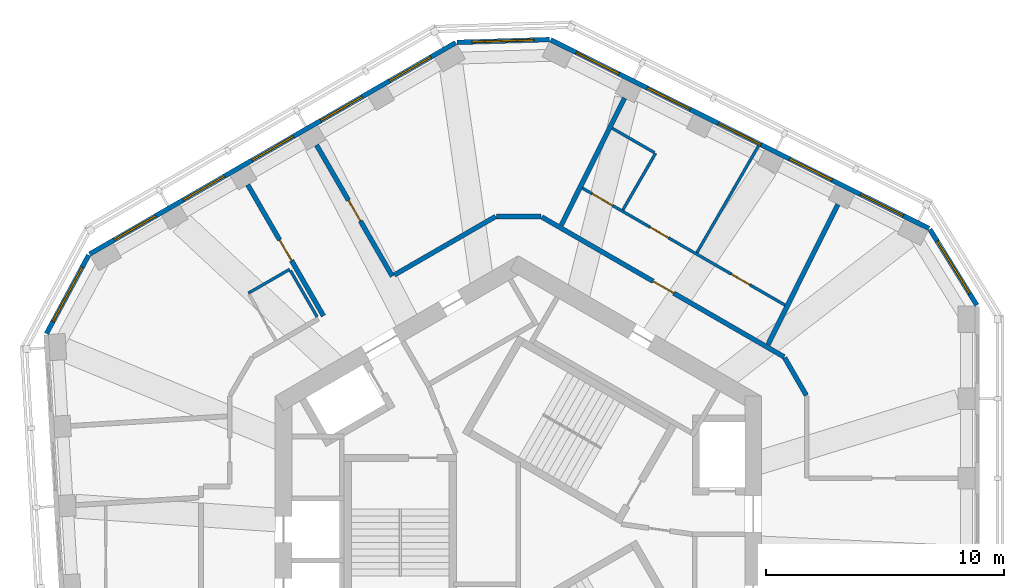
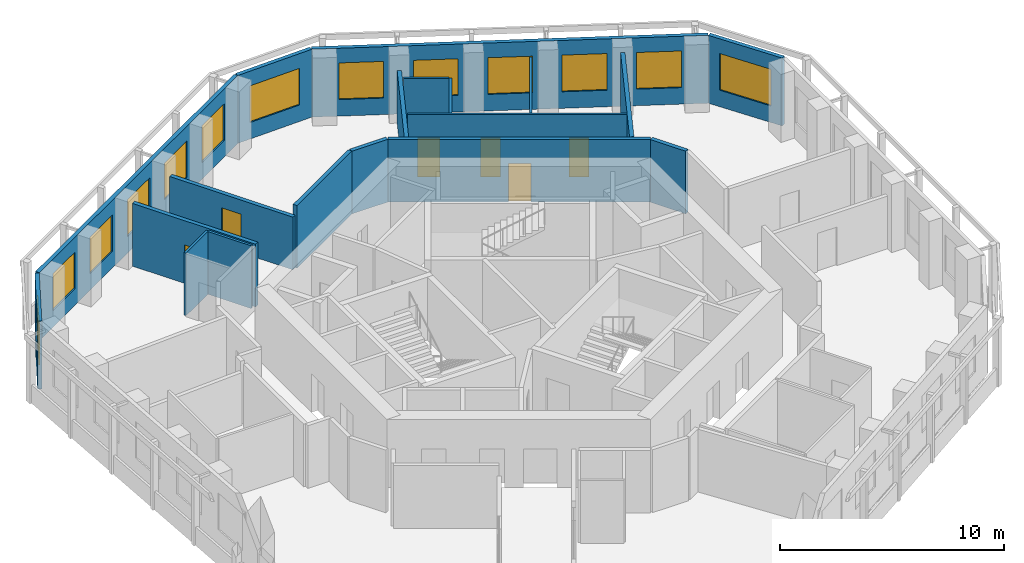
# One storey, part 7 of 10: 19 walls, 13 windows, 6 doors, 19 openings.
"""IFC4 building model written with IfcOpenShell, lengths in metres."""

from ifc_helpers import new_model, si_unit, direction, frame, frame_2d, origin, place, context, subcontext, project, spatial, rectangle, extrude, material, layer, layer_set, type_object, element, fill, save


model = new_model("IFC4")

# Units and contexts
model_context = context("Model", 3, precision=1e-05, world=origin(), true_north=direction((0.0, 1.0)))
body_context = subcontext(model_context, "Body", "Model", "MODEL_VIEW")
ifc_project = project(units=[si_unit("LENGTHUNIT", "METRE"), si_unit("AREAUNIT", "SQUARE_METRE"), si_unit("VOLUMEUNIT", "CUBIC_METRE"), si_unit("PLANEANGLEUNIT", "RADIAN"), si_unit("MASSUNIT", "GRAM", prefix="KILO")], contexts=[model_context])

# Site, building, storey
site_placement = place(None, origin())
site = spatial("IfcSite", under=ifc_project, at=site_placement, CompositionType="ELEMENT")
building_placement = place(site_placement, origin())
building = spatial("IfcBuilding", under=site, at=building_placement, Name="Vanh Sen Convention Tower", CompositionType="ELEMENT")
storey_placement = place(building_placement, frame((0.0, 0.0, 263.5)))
storey = spatial("IfcBuildingStorey", under=building, at=storey_placement, Name="L65", CompositionType="ELEMENT", Elevation=263.5)

# Walls
ifc_material_1 = material(Name="Moisture-resistant gypsum board on steel studs", Category="steel")
ifc_layer_1 = layer(ifc_material_1, 0.1201171875)
ifc_layer_set_1 = layer_set([ifc_layer_1], Name="Moisture-resistant gypsum board on steel studs")
wall_type_1 = type_object("IfcWallType", Name="Bathroom partition 120", PredefinedType="PARTITIONING", material=ifc_layer_set_1)
wall_1_placement = place(storey_placement, frame((-11.318603515625, 10.208251953125, 0.0), z_axis=(0.0, 0.0, 1.0), x_axis=(0.866010750942, 0.50002537861, 0.0)))
element("IfcWall", 1, at=wall_1_placement, inside=storey, type_object=wall_type_1, Name="Bathroom partition 120", PredefinedType="PARTITIONING", context=body_context, shape_type="SweptSolid", body=[
    extrude(rectangle(XDim=2.0, YDim=0.1201171875, at=frame_2d((1.0, 0.0))), origin(), (0.0, 0.0, 1.0), 3.419921875),
])
wall_2_placement = place(storey_placement, frame((-9.556640625, 11.15625, 0.0), z_axis=(0.0, 0.0, 1.0), x_axis=(0.49994888933, -0.866054910533, 0.0)))
element("IfcWall", 2, at=wall_2_placement, inside=storey, type_object=wall_type_1, Name="Bathroom partition 120", PredefinedType="PARTITIONING", context=body_context, shape_type="SweptSolid", body=[
    extrude(rectangle(XDim=2.239990234375, YDim=0.1201171875, at=frame_2d((1.1201171875, 0.0))), origin(), (0.0, 0.0, 1.0), 3.419921875),
])
wall_3_placement = place(storey_placement, frame((4.38818359375, 13.70166015625, 0.0), z_axis=(0.0, 0.0, 1.0), x_axis=(0.500048966069, 0.865997131366, 0.0)))
element("IfcWall", 3, at=wall_3_placement, inside=storey, type_object=wall_type_1, Name="Bathroom partition 120", PredefinedType="PARTITIONING", context=body_context, shape_type="SweptSolid", body=[
    extrude(rectangle(XDim=2.739990234375, YDim=0.1201171875, at=frame_2d((1.3701171875, 0.0))), origin(), (0.0, 0.0, 1.0), 3.419921875),
])
wall_4_placement = place(storey_placement, frame((5.706298828125, 16.1044921875, 0.0), z_axis=(0.0, 0.0, 1.0), x_axis=(-0.866040114423, 0.499974519561, 0.0)))
element("IfcWall", 4, at=wall_4_placement, inside=storey, type_object=wall_type_1, Name="Bathroom partition 120", PredefinedType="PARTITIONING", context=body_context, shape_type="SweptSolid", body=[
    extrude(rectangle(XDim=2.0400390625, YDim=0.1201171875, at=frame_2d((1.02001953125, 0.0))), origin(), (0.0, 0.0, 1.0), 3.419921875),
])
wall_5_placement = place(storey_placement, frame((10.07177734375, 16.376220703125, 0.0), z_axis=(0.0, 0.0, 1.0), x_axis=(-0.499972385701, -0.86604134632, 0.0)))
element("IfcWall", 5, at=wall_5_placement, inside=storey, type_object=wall_type_1, Name="Bathroom partition 120", PredefinedType="PARTITIONING", context=body_context, shape_type="SweptSolid", body=[
    extrude(rectangle(XDim=5.157958984375, YDim=0.1201171875, at=frame_2d((2.5791015625, 0.0))), origin(), (0.0, 0.0, 1.0), 2.8701171875),
])

# Wall, openings, doors
wall_6_placement = place(storey_placement, frame((11.186767578125, 9.707275390625, 0.0), z_axis=(0.0, 0.0, 1.0), x_axis=(-0.866033133531, 0.499986611447, 0.0)))
wall_6 = element("IfcWall", 6, at=wall_6_placement, inside=storey, type_object=wall_type_1, Name="Bathroom partition 120", PredefinedType="PARTITIONING", context=body_context, shape_type="SweptSolid", body=[
    extrude(rectangle(XDim=9.813720703125, YDim=0.1201171875, at=frame_2d((4.90673828125, 0.0))), origin(), (0.0, 0.0, 1.0), 3.419921875),
])
opening_1_placement = place(wall_6_placement, frame((8.34912109375, 0.0, 0.0)))
opening_1 = element("IfcOpeningElement", 7, at=opening_1_placement, cuts=wall_6, Name="Opening D64103", PredefinedType="OPENING", context=body_context, shape_type="SweptSolid", body=[
    extrude(rectangle(XDim=1.0, YDim=2.10009765625, at=frame_2d((0.5, 1.050048828125))), frame((0.0, 0.070068359375, 0.0), z_axis=(0.0, -1.0, 0.0), x_axis=(1.0, 0.0, 0.0)), (0.0, 0.0, 1.0), 0.14013671875),
])
opening_2_placement = place(wall_6_placement, frame((1.699951171875, 0.0, 0.0)))
opening_2 = element("IfcOpeningElement", 8, at=opening_2_placement, cuts=wall_6, Name="Opening D64104", PredefinedType="OPENING", context=body_context, shape_type="SweptSolid", body=[
    extrude(rectangle(XDim=0.89990234375, YDim=2.10009765625, at=frame_2d((0.449951171875, 1.050048828125))), frame((0.0, 0.070068359375, 0.0), z_axis=(0.0, -1.0, 0.0), x_axis=(1.0, 0.0, 0.0)), (0.0, 0.0, 1.0), 0.14013671875),
])
opening_3_placement = place(wall_6_placement, frame((5.642333984375, 0.0, 0.0)))
opening_3 = element("IfcOpeningElement", 9, at=opening_3_placement, cuts=wall_6, Name="Opening D64105", PredefinedType="OPENING", context=body_context, shape_type="SweptSolid", body=[
    extrude(rectangle(XDim=0.89990234375, YDim=2.10009765625, at=frame_2d((0.449951171875, 1.050048828125))), frame((0.0, 0.070068359375, 0.0), z_axis=(0.0, -1.0, 0.0), x_axis=(1.0, 0.0, 0.0)), (0.0, 0.0, 1.0), 0.14013671875),
])
ifc_material_2 = material(Name="Laminate door in steel frame", Category="steel")
door_type_1 = type_object("IfcDoorType", Name="Accessible WC door 1000", OperationType="SINGLE_SWING_LEFT", PredefinedType="DOOR", material=ifc_material_2)
door_1_placement = place(opening_1_placement, origin())
door_1 = element("IfcDoor", 10, at=door_1_placement, inside=storey, type_object=door_type_1, Name="Accessible WC door D64103", OperationType="SINGLE_SWING_LEFT", OverallHeight=2.10009765625, OverallWidth=1.0, PredefinedType="DOOR", context=body_context, shape_type="SweptSolid", body=[
    extrude(rectangle(XDim=1.0, YDim=2.10009765625, at=frame_2d((0.5, 1.050048828125))), frame((0.0, 0.02490234375, 0.0), z_axis=(0.0, -1.0, 0.0), x_axis=(1.0, 0.0, 0.0)), (0.0, 0.0, 1.0), 0.050048828125),
])
fill(opening_1, door_1)
door_type_2 = type_object("IfcDoorType", Name="Room internal door 900", OperationType="SINGLE_SWING_LEFT", PredefinedType="DOOR", material=ifc_material_2)
door_2_placement = place(opening_2_placement, origin())
door_2 = element("IfcDoor", 11, at=door_2_placement, inside=storey, type_object=door_type_2, Name="Internal room door D64104", OperationType="SINGLE_SWING_LEFT", OverallHeight=2.10009765625, OverallWidth=0.89990234375, PredefinedType="DOOR", context=body_context, shape_type="SweptSolid", body=[
    extrude(rectangle(XDim=0.89990234375, YDim=2.10009765625, at=frame_2d((0.449951171875, 1.050048828125))), frame((0.0, 0.02490234375, 0.0), z_axis=(0.0, -1.0, 0.0), x_axis=(1.0, 0.0, 0.0)), (0.0, 0.0, 1.0), 0.050048828125),
])
fill(opening_2, door_2)
door_3_placement = place(opening_3_placement, origin())
door_3 = element("IfcDoor", 12, at=door_3_placement, inside=storey, type_object=door_type_2, Name="Internal room door D64105", OperationType="SINGLE_SWING_LEFT", OverallHeight=2.10009765625, OverallWidth=0.89990234375, PredefinedType="DOOR", context=body_context, shape_type="SweptSolid", body=[
    extrude(rectangle(XDim=0.89990234375, YDim=2.10009765625, at=frame_2d((0.449951171875, 1.050048828125))), frame((0.0, 0.02490234375, 0.0), z_axis=(0.0, -1.0, 0.0), x_axis=(1.0, 0.0, 0.0)), (0.0, 0.0, 1.0), 0.050048828125),
])
fill(opening_3, door_3)

# Wall, opening, door
ifc_material_3 = material(Name="Gypsum board on steel studs with mineral wool", Category="steel")
ifc_layer_2 = layer(ifc_material_3, 0.199951171875)
ifc_layer_set_2 = layer_set([ifc_layer_2], Name="Gypsum board on steel studs with mineral wool")
wall_type_2 = type_object("IfcWallType", Name="Corridor partition wall 200", PredefinedType="PARTITIONING", material=ifc_layer_set_2)
wall_7_placement = place(storey_placement, frame((-11.34521484375, 14.754150390625, 0.0), z_axis=(0.0, 0.0, 1.0), x_axis=(0.500005339912, -0.866022320763, 0.0)))
wall_7 = element("IfcWall", 13, at=wall_7_placement, inside=storey, type_object=wall_type_2, Name="Corridor partition wall 200", PredefinedType="PARTITIONING", context=body_context, shape_type="SweptSolid", body=[
    extrude(rectangle(XDim=6.35009765625, YDim=0.199951171875, at=frame_2d((3.175048828125, 0.0))), origin(), (0.0, 0.0, 1.0), 3.419921875),
])
opening_4_placement = place(wall_7_placement, frame((2.675048828125, 0.0, 0.0)))
opening_4 = element("IfcOpeningElement", 14, at=opening_4_placement, cuts=wall_7, Name="Opening D64107", PredefinedType="OPENING", context=body_context, shape_type="SweptSolid", body=[
    extrude(rectangle(XDim=1.0, YDim=2.10009765625, at=frame_2d((0.5, 1.050048828125))), frame((0.0, 0.10986328125, 0.0), z_axis=(0.0, -1.0, 0.0), x_axis=(1.0, 0.0, 0.0)), (0.0, 0.0, 1.0), 0.219970703125),
])
ifc_material_4 = material(Name="Glazed fire door in steel frame", Category="steel")
door_type_3 = type_object("IfcDoorType", Name="Tenant entrance door 1000", OperationType="SINGLE_SWING_LEFT", PredefinedType="DOOR", material=ifc_material_4)
door_4_placement = place(opening_4_placement, origin())
door_4 = element("IfcDoor", 15, at=door_4_placement, inside=storey, type_object=door_type_3, Name="Tenant suite entrance door D64107", OperationType="SINGLE_SWING_LEFT", OverallHeight=2.10009765625, OverallWidth=1.0, PredefinedType="DOOR", context=body_context, shape_type="SweptSolid", body=[
    extrude(rectangle(XDim=1.0, YDim=2.10009765625, at=frame_2d((0.5, 1.050048828125))), frame((0.0, 0.02490234375, 0.0), z_axis=(0.0, -1.0, 0.0), x_axis=(1.0, 0.0, 0.0)), (0.0, 0.0, 1.0), 0.050048828125),
])
fill(opening_4, door_4)

wall_8_placement = place(storey_placement, frame((-8.4599609375, 16.419921875, 0.0), z_axis=(0.0, 0.0, 1.0), x_axis=(0.500005339912, -0.866022320763, 0.0)))
wall_8 = element("IfcWall", 16, at=wall_8_placement, inside=storey, type_object=wall_type_2, Name="Corridor partition wall 200", PredefinedType="PARTITIONING", context=body_context, shape_type="SweptSolid", body=[
    extrude(rectangle(XDim=6.35009765625, YDim=0.199951171875, at=frame_2d((3.175048828125, 0.0))), origin(), (0.0, 0.0, 1.0), 2.8701171875),
])
opening_5_placement = place(wall_8_placement, frame((2.675048828125, 0.0, 0.0)))
opening_5 = element("IfcOpeningElement", 17, at=opening_5_placement, cuts=wall_8, Name="Opening D64106", PredefinedType="OPENING", context=body_context, shape_type="SweptSolid", body=[
    extrude(rectangle(XDim=1.0, YDim=2.10009765625, at=frame_2d((0.5, 1.050048828125))), frame((0.0, 0.10986328125, 0.0), z_axis=(0.0, -1.0, 0.0), x_axis=(1.0, 0.0, 0.0)), (0.0, 0.0, 1.0), 0.219970703125),
])
ifc_material_5 = material(Name="Timber fire door in steel frame", Category="steel")
door_type_4 = type_object("IfcDoorType", Name="Floor room door 1000", OperationType="SINGLE_SWING_LEFT", PredefinedType="DOOR", material=ifc_material_5)
door_5_placement = place(opening_5_placement, origin())
door_5 = element("IfcDoor", 18, at=door_5_placement, inside=storey, type_object=door_type_4, Name="Meeting and amenity room door D64106", OperationType="SINGLE_SWING_LEFT", OverallHeight=2.10009765625, OverallWidth=1.0, PredefinedType="DOOR", context=body_context, shape_type="SweptSolid", body=[
    extrude(rectangle(XDim=1.0, YDim=2.10009765625, at=frame_2d((0.5, 1.050048828125))), frame((0.0, 0.02490234375, 0.0), z_axis=(0.0, -1.0, 0.0), x_axis=(1.0, 0.0, 0.0)), (0.0, 0.0, 1.0), 0.050048828125),
])
fill(opening_5, door_5)

# Walls
wall_9_placement = place(storey_placement, frame((-0.949951171875, 13.42333984375, 0.0), z_axis=(0.0, 0.0, 1.0), x_axis=(-0.86603557629, -0.499982380289, 0.0)))
element("IfcWall", 19, at=wall_9_placement, inside=storey, type_object=wall_type_2, Name="Corridor partition wall 200", PredefinedType="PARTITIONING", context=body_context, shape_type="SweptSolid", body=[
    extrude(rectangle(XDim=4.905517578125, YDim=0.199951171875, at=frame_2d((2.45263671875, 0.0))), origin(), (0.0, 0.0, 1.0), 3.419921875),
])
wall_10_placement = place(storey_placement, frame((0.949951171875, 13.42333984375, 0.0), z_axis=(0.0, 0.0, 1.0), x_axis=(-1.0, 0.0, 0.0)))
element("IfcWall", 20, at=wall_10_placement, inside=storey, type_object=wall_type_2, Name="Corridor partition wall 200", PredefinedType="PARTITIONING", context=body_context, shape_type="SweptSolid", body=[
    extrude(rectangle(XDim=1.85986328125, YDim=0.199951171875, at=frame_2d((0.929931640625, 0.0))), origin(), (0.0, 0.0, 1.0), 3.419921875),
])

# Wall, opening, door
wall_11_placement = place(storey_placement, frame((11.14990234375, 7.534423828125, 0.0), z_axis=(0.0, 0.0, 1.0), x_axis=(-0.866026603062, 0.499997922785, 0.0)))
wall_11 = element("IfcWall", 21, at=wall_11_placement, inside=storey, type_object=wall_type_2, Name="Corridor partition wall 200", PredefinedType="PARTITIONING", context=body_context, shape_type="SweptSolid", body=[
    extrude(rectangle(XDim=11.73779296875, YDim=0.199951171875, at=frame_2d((5.868896484375, 0.0))), origin(), (0.0, 0.0, 1.0), 3.419921875),
])
opening_6_placement = place(wall_11_placement, frame((5.34521484375, 0.0, 0.0)))
opening_6 = element("IfcOpeningElement", 22, at=opening_6_placement, cuts=wall_11, Name="Opening D64102", PredefinedType="OPENING", context=body_context, shape_type="SweptSolid", body=[
    extrude(rectangle(XDim=1.0, YDim=2.10009765625, at=frame_2d((0.5, 1.050048828125))), frame((0.0, 0.10986328125, 0.0), z_axis=(0.0, -1.0, 0.0), x_axis=(1.0, 0.0, 0.0)), (0.0, 0.0, 1.0), 0.219970703125),
])
door_6_placement = place(opening_6_placement, origin())
door_6 = element("IfcDoor", 23, at=door_6_placement, inside=storey, type_object=door_type_4, Name="Meeting and amenity room door D64102", OperationType="SINGLE_SWING_LEFT", OverallHeight=2.10009765625, OverallWidth=1.0, PredefinedType="DOOR", context=body_context, shape_type="SweptSolid", body=[
    extrude(rectangle(XDim=1.0, YDim=2.10009765625, at=frame_2d((0.5, 1.050048828125))), frame((0.0, 0.02490234375, 0.0), z_axis=(0.0, -1.0, 0.0), x_axis=(1.0, 0.0, 0.0)), (0.0, 0.0, 1.0), 0.050048828125),
])
fill(opening_6, door_6)

# Wall
wall_12_placement = place(storey_placement, frame((12.080078125, 5.923583984375, 0.0), z_axis=(0.0, 0.0, 1.0), x_axis=(-0.500004960326, 0.86602253992, 0.0)))
element("IfcWall", 24, at=wall_12_placement, inside=storey, type_object=wall_type_2, Name="Corridor partition wall 200", PredefinedType="PARTITIONING", context=body_context, shape_type="SweptSolid", body=[
    extrude(rectangle(XDim=1.8203125, YDim=0.199951171875, at=frame_2d((0.91015625, 0.0))), origin(), (0.0, 0.0, 1.0), 3.419921875),
])

# Wall, opening, window
ifc_material_6 = material(Name="Insulated lightweight infill wall")
ifc_layer_3 = layer(ifc_material_6, 0.199951171875)
ifc_layer_set_3 = layer_set([ifc_layer_3], Name="Insulated lightweight infill wall")
wall_type_3 = type_object("IfcWallType", Name="External wall 200", PredefinedType="STANDARD", material=ifc_layer_set_3)
wall_13_placement = place(storey_placement, frame((19.235107421875, 9.699951171875, 0.0), z_axis=(0.0, 0.0, 1.0), x_axis=(-0.526233475464, 0.850340125656, 0.0)))
wall_13 = element("IfcWall", 25, at=wall_13_placement, inside=storey, type_object=wall_type_3, Name="External wall CH1 L65", PredefinedType="STANDARD", context=body_context, shape_type="SweptSolid", body=[
    extrude(rectangle(XDim=3.746826171875, YDim=0.199951171875, at=frame_2d((1.87353515625, 0.0))), origin(), (0.0, 0.0, 1.0), 3.699951171875),
])
opening_7_placement = place(wall_13_placement, frame((0.573486328125, 0.0, 0.89990234375)))
opening_7 = element("IfcOpeningElement", 26, at=opening_7_placement, cuts=wall_13, Name="Opening WO6-CH11", PredefinedType="OPENING", context=body_context, shape_type="SweptSolid", body=[
    extrude(rectangle(XDim=2.60009765625, YDim=2.0, at=frame_2d((1.300048828125, 1.0))), frame((0.0, 0.10986328125, 0.0), z_axis=(0.0, -1.0, 0.0), x_axis=(1.0, 0.0, 0.0)), (0.0, 0.0, 1.0), 0.219970703125),
])
ifc_material_7 = material(Name="Aluminium frame with clear low-emissivity glass", Category="aluminium")
window_type_1 = type_object("IfcWindowType", Name="Office window 2600 x 2000", PartitioningType="SINGLE_PANEL", PredefinedType="WINDOW", material=ifc_material_7)
window_1_placement = place(opening_7_placement, origin())
window_1 = element("IfcWindow", 27, at=window_1_placement, inside=storey, type_object=window_type_1, Name="Window WO6-CH11", OverallHeight=2.0, OverallWidth=2.60009765625, PartitioningType="SINGLE_PANEL", PredefinedType="WINDOW", context=body_context, shape_type="SweptSolid", body=[
    extrude(rectangle(XDim=2.60009765625, YDim=2.0, at=frame_2d((1.300048828125, 1.0))), frame((0.0, 0.030029296875, 0.0), z_axis=(0.0, -1.0, 0.0), x_axis=(1.0, 0.0, 0.0)), (0.0, 0.0, 1.0), 0.06005859375),
])
fill(opening_7, window_1)

# Wall, openings, windows
wall_14_placement = place(storey_placement, frame((17.222900390625, 12.9228515625, 0.0), z_axis=(0.0, 0.0, 1.0), x_axis=(-0.894930561148, 0.44620543556, 0.0)))
wall_14 = element("IfcWall", 28, at=wall_14_placement, inside=storey, type_object=wall_type_3, Name="External wall NE L65", PredefinedType="STANDARD", context=body_context, shape_type="SweptSolid", body=[
    extrude(rectangle(XDim=17.7314453125, YDim=0.199951171875, at=frame_2d((8.86572265625, 0.0))), origin(), (0.0, 0.0, 1.0), 3.699951171875),
])
opening_8_placement = place(wall_14_placement, frame((1.20166015625, 0.0, 0.89990234375)))
opening_8 = element("IfcOpeningElement", 29, at=opening_8_placement, cuts=wall_14, Name="Opening WO5-NE1", PredefinedType="OPENING", context=body_context, shape_type="SweptSolid", body=[
    extrude(rectangle(XDim=2.0, YDim=2.0, at=frame_2d((1.0, 1.0))), frame((0.0, 0.10986328125, 0.0), z_axis=(0.0, -1.0, 0.0), x_axis=(1.0, 0.0, 0.0)), (0.0, 0.0, 1.0), 0.219970703125),
])
opening_9_placement = place(wall_14_placement, frame((4.533203125, 0.0, 0.89990234375)))
opening_9 = element("IfcOpeningElement", 30, at=opening_9_placement, cuts=wall_14, Name="Opening WO5-NE2", PredefinedType="OPENING", context=body_context, shape_type="SweptSolid", body=[
    extrude(rectangle(XDim=2.0, YDim=2.0, at=frame_2d((1.0, 1.0))), frame((0.0, 0.10986328125, 0.0), z_axis=(0.0, -1.0, 0.0), x_axis=(1.0, 0.0, 0.0)), (0.0, 0.0, 1.0), 0.219970703125),
])
opening_10_placement = place(wall_14_placement, frame((7.864990234375, 0.0, 0.89990234375)))
opening_10 = element("IfcOpeningElement", 31, at=opening_10_placement, cuts=wall_14, Name="Opening WO5-NE3", PredefinedType="OPENING", context=body_context, shape_type="SweptSolid", body=[
    extrude(rectangle(XDim=2.0, YDim=2.0, at=frame_2d((1.0, 1.0))), frame((0.0, 0.10986328125, 0.0), z_axis=(0.0, -1.0, 0.0), x_axis=(1.0, 0.0, 0.0)), (0.0, 0.0, 1.0), 0.219970703125),
])
opening_11_placement = place(wall_14_placement, frame((11.196533203125, 0.0, 0.89990234375)))
opening_11 = element("IfcOpeningElement", 32, at=opening_11_placement, cuts=wall_14, Name="Opening WO5-NE4", PredefinedType="OPENING", context=body_context, shape_type="SweptSolid", body=[
    extrude(rectangle(XDim=2.0, YDim=2.0, at=frame_2d((1.0, 1.0))), frame((0.0, 0.10986328125, 0.0), z_axis=(0.0, -1.0, 0.0), x_axis=(1.0, 0.0, 0.0)), (0.0, 0.0, 1.0), 0.219970703125),
])
opening_12_placement = place(wall_14_placement, frame((14.5283203125, 0.0, 0.89990234375)))
opening_12 = element("IfcOpeningElement", 33, at=opening_12_placement, cuts=wall_14, Name="Opening WO5-NE5", PredefinedType="OPENING", context=body_context, shape_type="SweptSolid", body=[
    extrude(rectangle(XDim=2.0, YDim=2.0, at=frame_2d((1.0, 1.0))), frame((0.0, 0.10986328125, 0.0), z_axis=(0.0, -1.0, 0.0), x_axis=(1.0, 0.0, 0.0)), (0.0, 0.0, 1.0), 0.219970703125),
])
window_type_2 = type_object("IfcWindowType", Name="Office window 2000 x 2000", PartitioningType="SINGLE_PANEL", PredefinedType="WINDOW", material=ifc_material_7)
window_2_placement = place(opening_8_placement, origin())
window_2 = element("IfcWindow", 34, at=window_2_placement, inside=storey, type_object=window_type_2, Name="Window WO5-NE1", OverallHeight=2.0, OverallWidth=2.0, PartitioningType="SINGLE_PANEL", PredefinedType="WINDOW", context=body_context, shape_type="SweptSolid", body=[
    extrude(rectangle(XDim=2.0, YDim=2.0, at=frame_2d((1.0, 1.0))), frame((0.0, 0.030029296875, 0.0), z_axis=(0.0, -1.0, 0.0), x_axis=(1.0, 0.0, 0.0)), (0.0, 0.0, 1.0), 0.06005859375),
])
fill(opening_8, window_2)
window_3_placement = place(opening_9_placement, origin())
window_3 = element("IfcWindow", 35, at=window_3_placement, inside=storey, type_object=window_type_2, Name="Window WO5-NE2", OverallHeight=2.0, OverallWidth=2.0, PartitioningType="SINGLE_PANEL", PredefinedType="WINDOW", context=body_context, shape_type="SweptSolid", body=[
    extrude(rectangle(XDim=2.0, YDim=2.0, at=frame_2d((1.0, 1.0))), frame((0.0, 0.030029296875, 0.0), z_axis=(0.0, -1.0, 0.0), x_axis=(1.0, 0.0, 0.0)), (0.0, 0.0, 1.0), 0.06005859375),
])
fill(opening_9, window_3)
window_4_placement = place(opening_10_placement, origin())
window_4 = element("IfcWindow", 36, at=window_4_placement, inside=storey, type_object=window_type_2, Name="Window WO5-NE3", OverallHeight=2.0, OverallWidth=2.0, PartitioningType="SINGLE_PANEL", PredefinedType="WINDOW", context=body_context, shape_type="SweptSolid", body=[
    extrude(rectangle(XDim=2.0, YDim=2.0, at=frame_2d((1.0, 1.0))), frame((0.0, 0.030029296875, 0.0), z_axis=(0.0, -1.0, 0.0), x_axis=(1.0, 0.0, 0.0)), (0.0, 0.0, 1.0), 0.06005859375),
])
fill(opening_10, window_4)
window_5_placement = place(opening_11_placement, origin())
window_5 = element("IfcWindow", 37, at=window_5_placement, inside=storey, type_object=window_type_2, Name="Window WO5-NE4", OverallHeight=2.0, OverallWidth=2.0, PartitioningType="SINGLE_PANEL", PredefinedType="WINDOW", context=body_context, shape_type="SweptSolid", body=[
    extrude(rectangle(XDim=2.0, YDim=2.0, at=frame_2d((1.0, 1.0))), frame((0.0, 0.030029296875, 0.0), z_axis=(0.0, -1.0, 0.0), x_axis=(1.0, 0.0, 0.0)), (0.0, 0.0, 1.0), 0.06005859375),
])
fill(opening_11, window_5)
window_6_placement = place(opening_12_placement, origin())
window_6 = element("IfcWindow", 38, at=window_6_placement, inside=storey, type_object=window_type_2, Name="Window WO5-NE5", OverallHeight=2.0, OverallWidth=2.0, PartitioningType="SINGLE_PANEL", PredefinedType="WINDOW", context=body_context, shape_type="SweptSolid", body=[
    extrude(rectangle(XDim=2.0, YDim=2.0, at=frame_2d((1.0, 1.0))), frame((0.0, 0.030029296875, 0.0), z_axis=(0.0, -1.0, 0.0), x_axis=(1.0, 0.0, 0.0)), (0.0, 0.0, 1.0), 0.06005859375),
])
fill(opening_12, window_6)

# Wall, opening, window
wall_15_placement = place(storey_placement, frame((1.306884765625, 20.84521484375, 0.0), z_axis=(0.0, 0.0, 1.0), x_axis=(-0.999533654813, -0.030536419175, 0.0)))
wall_15 = element("IfcWall", 39, at=wall_15_placement, inside=storey, type_object=wall_type_3, Name="External wall CH2 L65", PredefinedType="STANDARD", context=body_context, shape_type="SweptSolid", body=[
    extrude(rectangle(XDim=3.885498046875, YDim=0.199951171875, at=frame_2d((1.94287109375, 0.0))), origin(), (0.0, 0.0, 1.0), 3.699951171875),
])
opening_13_placement = place(wall_15_placement, frame((0.642822265625, 0.0, 0.89990234375)))
opening_13 = element("IfcOpeningElement", 40, at=opening_13_placement, cuts=wall_15, Name="Opening WO6-CH21", PredefinedType="OPENING", context=body_context, shape_type="SweptSolid", body=[
    extrude(rectangle(XDim=2.60009765625, YDim=2.0, at=frame_2d((1.300048828125, 1.0))), frame((0.0, 0.10986328125, 0.0), z_axis=(0.0, -1.0, 0.0), x_axis=(1.0, 0.0, 0.0)), (0.0, 0.0, 1.0), 0.219970703125),
])
window_7_placement = place(opening_13_placement, origin())
window_7 = element("IfcWindow", 41, at=window_7_placement, inside=storey, type_object=window_type_1, Name="Window WO6-CH21", OverallHeight=2.0, OverallWidth=2.60009765625, PartitioningType="SINGLE_PANEL", PredefinedType="WINDOW", context=body_context, shape_type="SweptSolid", body=[
    extrude(rectangle(XDim=2.60009765625, YDim=2.0, at=frame_2d((1.300048828125, 1.0))), frame((0.0, 0.030029296875, 0.0), z_axis=(0.0, -1.0, 0.0), x_axis=(1.0, 0.0, 0.0)), (0.0, 0.0, 1.0), 0.06005859375),
])
fill(opening_13, window_7)

# Wall, openings, windows
wall_16_placement = place(storey_placement, frame((-2.623779296875, 20.713134765625, 0.0), z_axis=(0.0, 0.0, 1.0), x_axis=(-0.866026460444, -0.499998169808, 0.0)))
wall_16 = element("IfcWall", 42, at=wall_16_placement, inside=storey, type_object=wall_type_3, Name="External wall NW L65", PredefinedType="STANDARD", context=body_context, shape_type="SweptSolid", body=[
    extrude(rectangle(XDim=17.7314453125, YDim=0.199951171875, at=frame_2d((8.86572265625, 0.0))), origin(), (0.0, 0.0, 1.0), 3.699951171875),
])
opening_14_placement = place(wall_16_placement, frame((1.203125, 0.0, 0.89990234375)))
opening_14 = element("IfcOpeningElement", 43, at=opening_14_placement, cuts=wall_16, Name="Opening WO5-NW1", PredefinedType="OPENING", context=body_context, shape_type="SweptSolid", body=[
    extrude(rectangle(XDim=2.0, YDim=2.0, at=frame_2d((1.0, 1.0))), frame((0.0, 0.10986328125, 0.0), z_axis=(0.0, -1.0, 0.0), x_axis=(1.0, 0.0, 0.0)), (0.0, 0.0, 1.0), 0.219970703125),
])
opening_15_placement = place(wall_16_placement, frame((4.534912109375, 0.0, 0.89990234375)))
opening_15 = element("IfcOpeningElement", 44, at=opening_15_placement, cuts=wall_16, Name="Opening WO5-NW2", PredefinedType="OPENING", context=body_context, shape_type="SweptSolid", body=[
    extrude(rectangle(XDim=2.0, YDim=2.0, at=frame_2d((1.0, 1.0))), frame((0.0, 0.10986328125, 0.0), z_axis=(0.0, -1.0, 0.0), x_axis=(1.0, 0.0, 0.0)), (0.0, 0.0, 1.0), 0.219970703125),
])
opening_16_placement = place(wall_16_placement, frame((7.86669921875, 0.0, 0.89990234375)))
opening_16 = element("IfcOpeningElement", 45, at=opening_16_placement, cuts=wall_16, Name="Opening WO5-NW3", PredefinedType="OPENING", context=body_context, shape_type="SweptSolid", body=[
    extrude(rectangle(XDim=2.0, YDim=2.0, at=frame_2d((1.0, 1.0))), frame((0.0, 0.10986328125, 0.0), z_axis=(0.0, -1.0, 0.0), x_axis=(1.0, 0.0, 0.0)), (0.0, 0.0, 1.0), 0.219970703125),
])
opening_17_placement = place(wall_16_placement, frame((11.1982421875, 0.0, 0.89990234375)))
opening_17 = element("IfcOpeningElement", 46, at=opening_17_placement, cuts=wall_16, Name="Opening WO5-NW4", PredefinedType="OPENING", context=body_context, shape_type="SweptSolid", body=[
    extrude(rectangle(XDim=2.0, YDim=2.0, at=frame_2d((1.0, 1.0))), frame((0.0, 0.10986328125, 0.0), z_axis=(0.0, -1.0, 0.0), x_axis=(1.0, 0.0, 0.0)), (0.0, 0.0, 1.0), 0.219970703125),
])
opening_18_placement = place(wall_16_placement, frame((14.52978515625, 0.0, 0.89990234375)))
opening_18 = element("IfcOpeningElement", 47, at=opening_18_placement, cuts=wall_16, Name="Opening WO5-NW5", PredefinedType="OPENING", context=body_context, shape_type="SweptSolid", body=[
    extrude(rectangle(XDim=2.0, YDim=2.0, at=frame_2d((1.0, 1.0))), frame((0.0, 0.10986328125, 0.0), z_axis=(0.0, -1.0, 0.0), x_axis=(1.0, 0.0, 0.0)), (0.0, 0.0, 1.0), 0.219970703125),
])
window_8_placement = place(opening_14_placement, origin())
window_8 = element("IfcWindow", 48, at=window_8_placement, inside=storey, type_object=window_type_2, Name="Window WO5-NW1", OverallHeight=2.0, OverallWidth=2.0, PartitioningType="SINGLE_PANEL", PredefinedType="WINDOW", context=body_context, shape_type="SweptSolid", body=[
    extrude(rectangle(XDim=2.0, YDim=2.0, at=frame_2d((1.0, 1.0))), frame((0.0, 0.030029296875, 0.0), z_axis=(0.0, -1.0, 0.0), x_axis=(1.0, 0.0, 0.0)), (0.0, 0.0, 1.0), 0.06005859375),
])
fill(opening_14, window_8)
window_9_placement = place(opening_15_placement, origin())
window_9 = element("IfcWindow", 49, at=window_9_placement, inside=storey, type_object=window_type_2, Name="Window WO5-NW2", OverallHeight=2.0, OverallWidth=2.0, PartitioningType="SINGLE_PANEL", PredefinedType="WINDOW", context=body_context, shape_type="SweptSolid", body=[
    extrude(rectangle(XDim=2.0, YDim=2.0, at=frame_2d((1.0, 1.0))), frame((0.0, 0.030029296875, 0.0), z_axis=(0.0, -1.0, 0.0), x_axis=(1.0, 0.0, 0.0)), (0.0, 0.0, 1.0), 0.06005859375),
])
fill(opening_15, window_9)
window_10_placement = place(opening_16_placement, origin())
window_10 = element("IfcWindow", 50, at=window_10_placement, inside=storey, type_object=window_type_2, Name="Window WO5-NW3", OverallHeight=2.0, OverallWidth=2.0, PartitioningType="SINGLE_PANEL", PredefinedType="WINDOW", context=body_context, shape_type="SweptSolid", body=[
    extrude(rectangle(XDim=2.0, YDim=2.0, at=frame_2d((1.0, 1.0))), frame((0.0, 0.030029296875, 0.0), z_axis=(0.0, -1.0, 0.0), x_axis=(1.0, 0.0, 0.0)), (0.0, 0.0, 1.0), 0.06005859375),
])
fill(opening_16, window_10)
window_11_placement = place(opening_17_placement, origin())
window_11 = element("IfcWindow", 51, at=window_11_placement, inside=storey, type_object=window_type_2, Name="Window WO5-NW4", OverallHeight=2.0, OverallWidth=2.0, PartitioningType="SINGLE_PANEL", PredefinedType="WINDOW", context=body_context, shape_type="SweptSolid", body=[
    extrude(rectangle(XDim=2.0, YDim=2.0, at=frame_2d((1.0, 1.0))), frame((0.0, 0.030029296875, 0.0), z_axis=(0.0, -1.0, 0.0), x_axis=(1.0, 0.0, 0.0)), (0.0, 0.0, 1.0), 0.06005859375),
])
fill(opening_17, window_11)
window_12_placement = place(opening_18_placement, origin())
window_12 = element("IfcWindow", 52, at=window_12_placement, inside=storey, type_object=window_type_2, Name="Window WO5-NW5", OverallHeight=2.0, OverallWidth=2.0, PartitioningType="SINGLE_PANEL", PredefinedType="WINDOW", context=body_context, shape_type="SweptSolid", body=[
    extrude(rectangle(XDim=2.0, YDim=2.0, at=frame_2d((1.0, 1.0))), frame((0.0, 0.030029296875, 0.0), z_axis=(0.0, -1.0, 0.0), x_axis=(1.0, 0.0, 0.0)), (0.0, 0.0, 1.0), 0.06005859375),
])
fill(opening_18, window_12)

# Wall, opening, window
wall_17_placement = place(storey_placement, frame((-18.017822265625, 11.80810546875, 0.0), z_axis=(0.0, 0.0, 1.0), x_axis=(-0.473318619185, -0.880891301315, 0.0)))
wall_17 = element("IfcWall", 53, at=wall_17_placement, inside=storey, type_object=wall_type_3, Name="External wall CH3 L65", PredefinedType="STANDARD", context=body_context, shape_type="SweptSolid", body=[
    extrude(rectangle(XDim=3.746826171875, YDim=0.199951171875, at=frame_2d((1.87353515625, 0.0))), origin(), (0.0, 0.0, 1.0), 3.699951171875),
])
opening_19_placement = place(wall_17_placement, frame((0.5732421875, 0.0, 0.89990234375)))
opening_19 = element("IfcOpeningElement", 54, at=opening_19_placement, cuts=wall_17, Name="Opening WO6-CH31", PredefinedType="OPENING", context=body_context, shape_type="SweptSolid", body=[
    extrude(rectangle(XDim=2.60009765625, YDim=2.0, at=frame_2d((1.300048828125, 1.0))), frame((0.0, 0.10986328125, 0.0), z_axis=(0.0, -1.0, 0.0), x_axis=(1.0, 0.0, 0.0)), (0.0, 0.0, 1.0), 0.219970703125),
])
window_13_placement = place(opening_19_placement, origin())
window_13 = element("IfcWindow", 55, at=window_13_placement, inside=storey, type_object=window_type_1, Name="Window WO6-CH31", OverallHeight=2.0, OverallWidth=2.60009765625, PartitioningType="SINGLE_PANEL", PredefinedType="WINDOW", context=body_context, shape_type="SweptSolid", body=[
    extrude(rectangle(XDim=2.60009765625, YDim=2.0, at=frame_2d((1.300048828125, 1.0))), frame((0.0, 0.030029296875, 0.0), z_axis=(0.0, -1.0, 0.0), x_axis=(1.0, 0.0, 0.0)), (0.0, 0.0, 1.0), 0.06005859375),
])
fill(opening_19, window_13)

# Walls
ifc_layer_4 = layer(ifc_material_3, 0.199951171875)
ifc_layer_set_4 = layer_set([ifc_layer_4], Name="Gypsum board on steel studs with mineral wool")
wall_type_4 = type_object("IfcWallType", Name="Tenant suite wall 200", PredefinedType="PARTITIONING", material=ifc_layer_set_4)
wall_18_placement = place(storey_placement, frame((4.460205078125, 18.392333984375, 0.0), z_axis=(0.0, 0.0, 1.0), x_axis=(-0.446197360024, -0.894934587502, 0.0)))
element("IfcWall", 56, at=wall_18_placement, inside=storey, type_object=wall_type_4, Name="Tenant suite wall 200", PredefinedType="PARTITIONING", context=body_context, shape_type="SweptSolid", body=[
    extrude(rectangle(XDim=5.959716796875, YDim=0.199951171875, at=frame_2d((2.97998046875, 0.0))), origin(), (0.0, 0.0, 1.0), 2.8701171875),
])
wall_19_placement = place(storey_placement, frame((13.40478515625, 13.9326171875, 0.0), z_axis=(0.0, 0.0, 1.0), x_axis=(-0.446187838644, -0.894939334618, 0.0)))
element("IfcWall", 57, at=wall_19_placement, inside=storey, type_object=wall_type_4, Name="Tenant suite wall 200", PredefinedType="PARTITIONING", context=body_context, shape_type="SweptSolid", body=[
    extrude(rectangle(XDim=6.571044921875, YDim=0.199951171875, at=frame_2d((3.28564453125, 0.0))), origin(), (0.0, 0.0, 1.0), 3.419921875),
])

save(model, "model.ifc")
